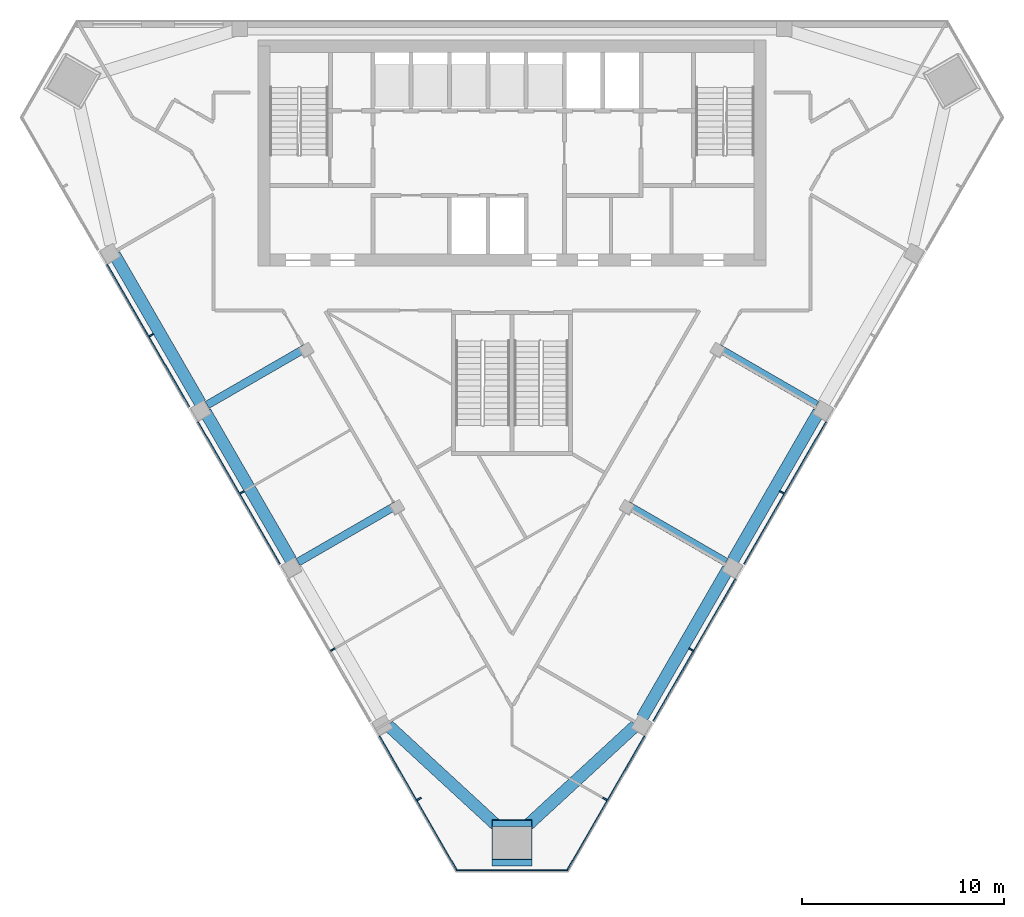
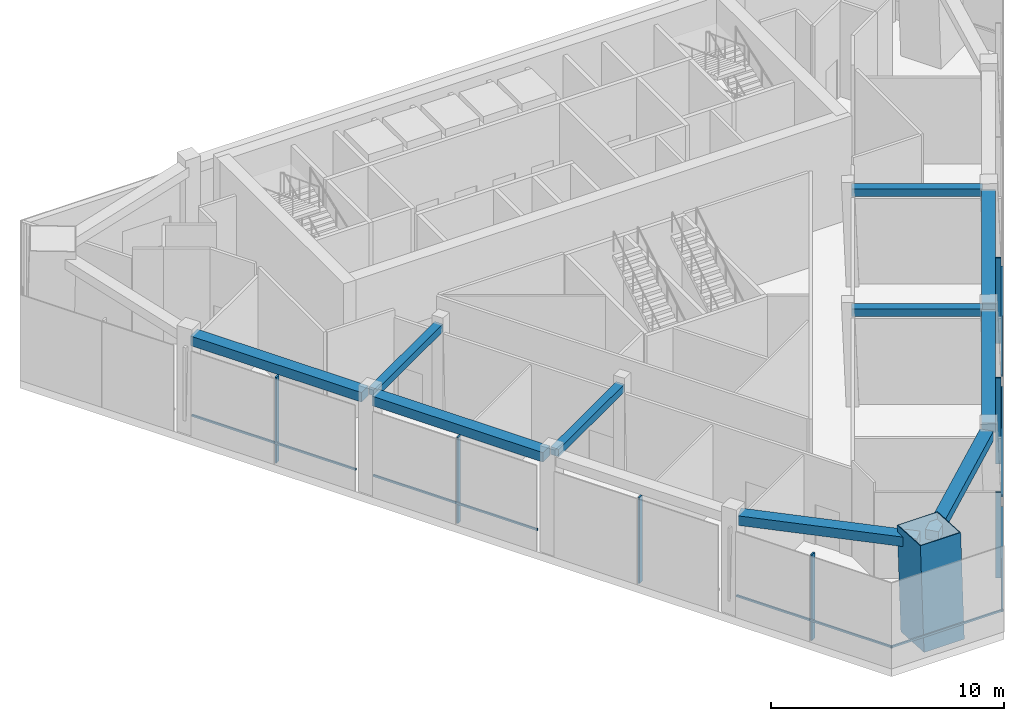
# One storey, part 2 of 10: 15 members, 10 beams, 3 elements without a shape of their own.
"""IFC4 building model written with IfcOpenShell, lengths in metres."""

import ifcopenshell
import ifcopenshell.guid

model = None  # the IFC model being written
_history = None  # IfcOwnerHistory: only IFC2X3 demands one
_inside = {}  # id of a spatial element -> (the spatial element, [elements in it])
_under = {}  # id of a project, library or spatial element -> (it, [spatial elements below it])
_declared = {}  # id of a project -> (the project, [libraries it declares])
_typed = {}  # id of a type object -> (the type object, [elements of that type])
_made_of = {}  # id of a material, layer set ... -> (it, [elements and type objects made of it])


def new_model(schema):
    """Start an empty IFC model of exactly this schema.

    Asked for "IFC4X3", IfcOpenShell would pick the latest addendum, in which some entities
    have other attributes; the version numbers below select the first issue.
    IFC2X3 requires an IfcOwnerHistory on every rooted entity: one is made here for all.
    """
    global model, _history
    if schema == "IFC4X3":
        model = ifcopenshell.file(schema_version=(4, 3, 0, 0))
    else:
        model = ifcopenshell.file(schema=schema)
    _inside.clear()
    _under.clear()
    _declared.clear()
    _typed.clear()
    _made_of.clear()
    _history = None
    if model.schema == "IFC2X3":
        org = make("IfcOrganization", Name="unknown")
        user = make(
            "IfcPersonAndOrganization",
            ThePerson=make("IfcPerson", FamilyName="unknown"),
            TheOrganization=org,
        )
        app = make(
            "IfcApplication",
            ApplicationDeveloper=org,
            Version="unknown",
            ApplicationFullName="unknown",
            ApplicationIdentifier="unknown",
        )
        _history = make(
            "IfcOwnerHistory",
            OwningUser=user,
            OwningApplication=app,
            ChangeAction="ADDED",
            CreationDate=0,
        )
    return model


def make(cls, **values):
    """One entity of the class cls with the attributes given. An attribute that is None is left unset."""
    return model.create_entity(
        cls, **{name: value for name, value in values.items() if value is not None}
    )


def rooted(cls, **values):
    """An entity with a GlobalId (a new one), such as an element, a storey or a relation."""
    return make(cls, GlobalId=ifcopenshell.guid.new(), OwnerHistory=_history, **values)


def si_unit(unit_type, name, prefix=None):
    """IfcSIUnit, for example si_unit("LENGTHUNIT", "METRE", prefix="MILLI")."""
    return make("IfcSIUnit", UnitType=unit_type, Prefix=prefix, Name=name)


def assignment(units):
    """IfcUnitAssignment: the units of a project."""
    return None if units is None else make("IfcUnitAssignment", Units=units)


def point(xyz):
    """IfcCartesianPoint."""
    return None if xyz is None else make("IfcCartesianPoint", Coordinates=xyz)


def direction(xyz):
    """IfcDirection."""
    return None if xyz is None else make("IfcDirection", DirectionRatios=xyz)


def frame(location, z_axis=None, x_axis=None):
    """IfcAxis2Placement3D, a coordinate frame: its origin and axes. An axis left out is left unset."""
    return make(
        "IfcAxis2Placement3D",
        Location=point(location),
        Axis=direction(z_axis),
        RefDirection=direction(x_axis),
    )


def frame_2d(location, x_axis=None):
    """IfcAxis2Placement2D, a coordinate frame in the plane: its origin and x axis."""
    return make(
        "IfcAxis2Placement2D", Location=point(location), RefDirection=direction(x_axis)
    )


def origin():
    """The frame at (0, 0, 0) with its axes left unset."""
    return frame((0.0, 0.0, 0.0))


def origin_2d():
    """The frame at (0, 0) in the plane with its x axis left unset."""
    return frame_2d((0.0, 0.0))


def place(relative_to, where):
    """IfcLocalPlacement: puts the frame where relative to a parent placement (None: the world)."""
    return make(
        "IfcLocalPlacement", PlacementRelTo=relative_to, RelativePlacement=where
    )


def context(
    kind, dimensions, precision=None, world=None, true_north=None, identifier=None
):
    """IfcGeometricRepresentationContext, for example the 3D "Model" context."""
    return make(
        "IfcGeometricRepresentationContext",
        ContextIdentifier=identifier,
        ContextType=kind,
        CoordinateSpaceDimension=dimensions,
        Precision=precision,
        WorldCoordinateSystem=world,
        TrueNorth=true_north,
    )


def subcontext(parent, identifier, kind, view, scale=None):
    """IfcGeometricRepresentationSubContext, for example "Body" below "Model"."""
    return make(
        "IfcGeometricRepresentationSubContext",
        ContextIdentifier=identifier,
        ContextType=kind,
        ParentContext=parent,
        TargetScale=scale,
        TargetView=view,
    )


def project(units=None, contexts=None):
    """IfcProject with its units and contexts."""
    return rooted(
        "IfcProject",
        Name="project",
        RepresentationContexts=contexts,
        UnitsInContext=assignment(units),
    )


def spatial(cls, under=None, at=None, **own):
    """A site, building, storey or space (cls), placed at a placement, below another one or the project."""
    s = rooted(cls, ObjectPlacement=at, **own)
    if under is not None:
        _under.setdefault(under.id(), (under, []))[1].append(s)
    return s


def profile(cls, at=None, kind="AREA", **sizes):
    """A parametric profile (cls). Its sizes go by their IFC names, for example OverallWidth=200.0."""
    return make(cls, ProfileType=kind, Position=at, **sizes)


def rectangle(**sizes):
    """IfcRectangleProfileDef."""
    return profile("IfcRectangleProfileDef", **sizes)


def hollow_rectangle(**sizes):
    """IfcRectangleHollowProfileDef."""
    return profile("IfcRectangleHollowProfileDef", **sizes)


def extrude(swept, where, along, depth):
    """IfcExtrudedAreaSolid: the profile swept, set in the frame where, extruded along a direction by depth."""
    return make(
        "IfcExtrudedAreaSolid",
        SweptArea=swept,
        Position=where,
        ExtrudedDirection=direction(along),
        Depth=depth,
    )


def shape(context_of_items, identifier, shape_type, items):
    """IfcShapeRepresentation: the items that make up one representation, for example the "Body"."""
    return make(
        "IfcShapeRepresentation",
        ContextOfItems=context_of_items,
        RepresentationIdentifier=identifier,
        RepresentationType=shape_type,
        Items=items,
    )


def material(Name=None, Category=None):
    """IfcMaterial."""
    return make("IfcMaterial", Name=Name, Category=Category)


def layer(
    of_material, thickness, ventilated=None, Name=None, Category=None, Priority=None
):
    """IfcMaterialLayer: one layer of a wall or slab, of a material (None: an air gap)."""
    return make(
        "IfcMaterialLayer",
        Material=of_material,
        LayerThickness=thickness,
        IsVentilated=ventilated,
        Name=Name,
        Category=Category,
        Priority=Priority,
    )


def layer_set(layers, Name=None):
    """IfcMaterialLayerSet."""
    return make("IfcMaterialLayerSet", MaterialLayers=layers, LayerSetName=Name)


def material_profile(
    of_material, cross_section, Name=None, Category=None, Priority=None
):
    """IfcMaterialProfile: a cross section and its material."""
    return make(
        "IfcMaterialProfile",
        Name=Name,
        Material=of_material,
        Profile=cross_section,
        Priority=Priority,
        Category=Category,
    )


def profile_set(profiles, Name=None, composite=None):
    """IfcMaterialProfileSet."""
    return make(
        "IfcMaterialProfileSet",
        Name=Name,
        MaterialProfiles=profiles,
        CompositeProfile=composite,
    )


def made_of(thing, what):
    """Note that an element or type object is made of a material, layer set ...; save() writes the relation."""
    if what is not None:
        _made_of.setdefault(what.id(), (what, []))[1].append(thing)
    return thing


def type_object(cls, material=None, **own):
    """A type object (cls), such as IfcWallType, which elements share."""
    return made_of(rooted(cls, **own), material)


def element(
    cls,
    number,
    at=None,
    inside=None,
    cuts=None,
    type_object=None,
    material=None,
    context=None,
    identifier="Body",
    shape_type=None,
    held_by="IfcProductDefinitionShape",
    body=None,
    shapes=None,
    **own,
):
    """One element of the class cls, such as IfcWall. Its Tag is "e" and its number.

    at: its placement. inside: the storey or other place that contains it. cuts: it is an
    opening in that element (IfcRelVoidsElement). A single representation is given by context,
    identifier, shape_type and body (its items); several are given by shapes. held_by: the class
    of the entity that holds the representations. save() writes the other relations.
    """
    e = rooted(cls, Tag="e%d" % number, ObjectPlacement=at, **own)
    if body is not None:
        shapes = [shape(context, identifier, shape_type, body)]
    if shapes is not None:
        e.Representation = make(held_by, Representations=shapes)
    if inside is not None:
        _inside.setdefault(inside.id(), (inside, []))[1].append(e)
    if cuts is not None:
        rooted(
            "IfcRelVoidsElement", RelatingBuildingElement=cuts, RelatedOpeningElement=e
        )
    if type_object is not None:
        _typed.setdefault(type_object.id(), (type_object, []))[1].append(e)
    return made_of(e, material)


def aggregate(whole, parts):
    """IfcRelAggregates: a whole, such as a stair, and the parts it consists of."""
    return rooted("IfcRelAggregates", RelatingObject=whole, RelatedObjects=parts)


def save(model, path):
    """Write the relations noted so far, then the file.

    IfcRelAggregates (storeys below a building ...), IfcRelContainedInSpatialStructure (elements
    in a storey), IfcRelDefinesByType, IfcRelAssociatesMaterial and IfcRelDeclares: one each for
    every whole, place, type object, material and project.
    """
    for whole, parts in _under.values():
        aggregate(whole, parts)
    for where, things in _inside.values():
        rooted(
            "IfcRelContainedInSpatialStructure",
            RelatedElements=things,
            RelatingStructure=where,
        )
    for kind, things in _typed.values():
        rooted("IfcRelDefinesByType", RelatedObjects=things, RelatingType=kind)
    for what, things in _made_of.values():
        rooted("IfcRelAssociatesMaterial", RelatedObjects=things, RelatingMaterial=what)
    for by, libraries in _declared.values():
        rooted("IfcRelDeclares", RelatingContext=by, RelatedDefinitions=libraries)
    model.write(path)


model = new_model("IFC4")

# Units and contexts
model_context = context("Model", 3, precision=1e-05, world=origin(), true_north=direction((0.0, 1.0)))
body_context = subcontext(model_context, "Body", "Model", "MODEL_VIEW")
ifc_project = project(units=[si_unit("LENGTHUNIT", "METRE"), si_unit("AREAUNIT", "SQUARE_METRE"), si_unit("VOLUMEUNIT", "CUBIC_METRE"), si_unit("PLANEANGLEUNIT", "RADIAN"), si_unit("MASSUNIT", "GRAM", prefix="KILO")], contexts=[model_context])

# Site, building, storey
site_placement = place(None, origin())
site = spatial("IfcSite", under=ifc_project, at=site_placement, CompositionType="ELEMENT")
building_placement = place(site_placement, origin())
building = spatial("IfcBuilding", under=site, at=building_placement, Name="Altiplano Prism Tower", CompositionType="ELEMENT")
storey_placement = place(building_placement, frame((0.0, 0.0, 233.800048828125)))
storey = spatial("IfcBuildingStorey", under=building, at=storey_placement, Name="L60", CompositionType="ELEMENT", Elevation=233.800048828125)

# Curtain wall, members
ifc_material_1 = material(Name="Aluminium and glass", Category="aluminium")
ifc_layer = layer(ifc_material_1, 0.360107421875)
ifc_layer_set = layer_set([ifc_layer], Name="Aluminium and glass")
curtain_wall_type = type_object("IfcCurtainWallType", Name="CW3 sky-lobby unitised glazing", PredefinedType="NOTDEFINED", material=ifc_layer_set)
curtain_wall_1_placement = place(storey_placement, origin())
curtain_wall_1 = element("IfcCurtainWall", 1, at=curtain_wall_1_placement, inside=storey, type_object=curtain_wall_type, Name="CW3 curtain wall south-west face L60", PredefinedType="NOTDEFINED")
ifc_material_2 = material(Name="Aluminium", Category="aluminium")
ifc_material_profile_1 = material_profile(ifc_material_2, rectangle(XDim=0.239990234375, YDim=0.080078125, at=origin_2d()), Name="CW3 mullion 80 x 240")
ifc_profile_set_1 = profile_set([ifc_material_profile_1], Name="Aluminium")
member_type_1 = type_object("IfcMemberType", Name="CW3 mullion 80 x 240", PredefinedType="MULLION", material=ifc_profile_set_1)
member_1_placement = place(storey_placement, frame((67.1162109375, 89.373046875, 0.0), z_axis=(0.0, 0.0, 1.0), x_axis=(0.866025409483, 0.49999999013, 0.0)))
member_1 = element("IfcMember", 2, at=member_1_placement, type_object=member_type_1, Name="CW3 mullion", PredefinedType="MULLION", context=body_context, shape_type="SweptSolid", body=[
    extrude(rectangle(XDim=0.239990234375, YDim=0.080078125, at=origin_2d()), origin(), (0.0, 0.0, 1.0), 4.5),
])
member_2_placement = place(storey_placement, frame((71.6162109375, 81.57861328125, 0.0), z_axis=(0.0, 0.0, 1.0), x_axis=(0.866025409483, 0.49999999013, 0.0)))
member_2 = element("IfcMember", 3, at=member_2_placement, type_object=member_type_1, Name="CW3 mullion", PredefinedType="MULLION", context=body_context, shape_type="SweptSolid", body=[
    extrude(rectangle(XDim=0.239990234375, YDim=0.080078125, at=origin_2d()), origin(), (0.0, 0.0, 1.0), 4.5),
])
member_3_placement = place(storey_placement, frame((76.1162109375, 73.784423828125, 0.0), z_axis=(0.0, 0.0, 1.0), x_axis=(0.866025409483, 0.49999999013, 0.0)))
member_3 = element("IfcMember", 4, at=member_3_placement, type_object=member_type_1, Name="CW3 mullion", PredefinedType="MULLION", context=body_context, shape_type="SweptSolid", body=[
    extrude(rectangle(XDim=0.239990234375, YDim=0.080078125, at=origin_2d()), origin(), (0.0, 0.0, 1.0), 4.5),
])
member_4_placement = place(storey_placement, frame((80.392333984375, 66.3779296875, 0.0), z_axis=(0.0, 0.0, 1.0), x_axis=(0.866025409483, 0.49999999013, 0.0)))
member_4 = element("IfcMember", 5, at=member_4_placement, type_object=member_type_1, Name="CW3 mullion", PredefinedType="MULLION", context=body_context, shape_type="SweptSolid", body=[
    extrude(rectangle(XDim=0.239990234375, YDim=0.080078125, at=origin_2d()), origin(), (0.0, 0.0, 1.0), 4.5),
])

curtain_wall_2_placement = place(storey_placement, origin())
curtain_wall_2 = element("IfcCurtainWall", 6, at=curtain_wall_2_placement, inside=storey, type_object=curtain_wall_type, Name="CW3 curtain wall south-east face L60", PredefinedType="NOTDEFINED")
member_5_placement = place(storey_placement, frame((89.607666015625, 66.3779296875, 0.0), z_axis=(0.0, 0.0, 1.0), x_axis=(-0.866025409483, 0.49999999013, 0.0)))
member_5 = element("IfcMember", 7, at=member_5_placement, type_object=member_type_1, Name="CW3 mullion", PredefinedType="MULLION", context=body_context, shape_type="SweptSolid", body=[
    extrude(rectangle(XDim=0.239990234375, YDim=0.080078125, at=origin_2d()), origin(), (0.0, 0.0, 1.0), 4.5),
])
member_6_placement = place(storey_placement, frame((93.8837890625, 73.784423828125, 0.0), z_axis=(0.0, 0.0, 1.0), x_axis=(-0.866025409483, 0.49999999013, 0.0)))
member_6 = element("IfcMember", 8, at=member_6_placement, type_object=member_type_1, Name="CW3 mullion", PredefinedType="MULLION", context=body_context, shape_type="SweptSolid", body=[
    extrude(rectangle(XDim=0.239990234375, YDim=0.080078125, at=origin_2d()), origin(), (0.0, 0.0, 1.0), 4.5),
])
member_7_placement = place(storey_placement, frame((98.3837890625, 81.57861328125, 0.0), z_axis=(0.0, 0.0, 1.0), x_axis=(-0.866025409483, 0.49999999013, 0.0)))
member_7 = element("IfcMember", 9, at=member_7_placement, type_object=member_type_1, Name="CW3 mullion", PredefinedType="MULLION", context=body_context, shape_type="SweptSolid", body=[
    extrude(rectangle(XDim=0.239990234375, YDim=0.080078125, at=origin_2d()), origin(), (0.0, 0.0, 1.0), 4.5),
])

# Member
ifc_material_profile_2 = material_profile(ifc_material_2, rectangle(XDim=0.070068359375, YDim=0.10009765625, at=origin_2d()), Name="CW3 transom 100 x 70")
ifc_profile_set_2 = profile_set([ifc_material_profile_2], Name="Aluminium")
member_type_2 = type_object("IfcMemberType", Name="CW3 transom 100 x 70", PredefinedType="USERDEFINED", material=ifc_profile_set_2)
member_8_placement = place(storey_placement, frame((64.919921875, 92.8671875, 1.099853515625), z_axis=(0.500008399602, -0.866020554218, 0.0), x_axis=(0.866020554218, 0.500008399602, 0.0)))
member_8 = element("IfcMember", 10, at=member_8_placement, type_object=member_type_2, Name="CW3 transom", ObjectType="TRANSOM", PredefinedType="USERDEFINED", context=body_context, shape_type="SweptSolid", body=[
    extrude(rectangle(XDim=0.070068359375, YDim=0.10009765625, at=origin_2d()), origin(), (0.0, 0.0, 1.0), 8.129638671875),
])

member_9_placement = place(storey_placement, frame((69.419921875, 85.072998046875, 1.099853515625), z_axis=(0.500008399602, -0.866020554218, 0.0), x_axis=(0.866020554218, 0.500008399602, 0.0)))
member_9 = element("IfcMember", 11, at=member_9_placement, type_object=member_type_2, Name="CW3 transom", ObjectType="TRANSOM", PredefinedType="USERDEFINED", context=body_context, shape_type="SweptSolid", body=[
    extrude(rectangle(XDim=0.070068359375, YDim=0.10009765625, at=origin_2d()), origin(), (0.0, 0.0, 1.0), 8.129638671875),
])

member_10_placement = place(storey_placement, frame((78.419921875, 69.484619140625, 1.099853515625), z_axis=(0.499994969788, -0.866028307959, 0.0), x_axis=(0.866028307959, 0.499994969788, 0.0)))
member_10 = element("IfcMember", 12, at=member_10_placement, type_object=member_type_2, Name="CW3 transom", ObjectType="TRANSOM", PredefinedType="USERDEFINED", context=body_context, shape_type="SweptSolid", body=[
    extrude(rectangle(XDim=0.070068359375, YDim=0.10009765625, at=origin_2d()), origin(), (0.0, 0.0, 1.0), 7.72900390625),
])

aggregate(curtain_wall_1, [member_1, member_8, member_2, member_9, member_3, member_4, member_10])

# Curtain wall, member
curtain_wall_3_placement = place(storey_placement, origin())
curtain_wall_3 = element("IfcCurtainWall", 13, at=curtain_wall_3_placement, inside=storey, type_object=curtain_wall_type, Name="CW3 curtain wall south chamfer L60", PredefinedType="NOTDEFINED")
member_11_placement = place(storey_placement, frame((82.210693359375, 62.83349609375, 1.099853515625), z_axis=(1.0, 0.0, 0.0), x_axis=(0.0, 1.0, 0.0)))
member_11 = element("IfcMember", 14, at=member_11_placement, type_object=member_type_2, Name="CW3 transom", ObjectType="TRANSOM", PredefinedType="USERDEFINED", context=body_context, shape_type="SweptSolid", body=[
    extrude(rectangle(XDim=0.070068359375, YDim=0.10009765625, at=origin_2d()), origin(), (0.0, 0.0, 1.0), 5.57861328125),
])
aggregate(curtain_wall_3, [member_11])

# Member
member_12_placement = place(storey_placement, frame((87.715576171875, 62.791015625, 1.099853515625), z_axis=(0.499994969788, 0.866028307959, 0.0), x_axis=(-0.866028307959, 0.499994969788, 0.0)))
member_12 = element("IfcMember", 15, at=member_12_placement, type_object=member_type_2, Name="CW3 transom", ObjectType="TRANSOM", PredefinedType="USERDEFINED", context=body_context, shape_type="SweptSolid", body=[
    extrude(rectangle(XDim=0.070068359375, YDim=0.10009765625, at=origin_2d()), origin(), (0.0, 0.0, 1.0), 7.72900390625),
])

member_13_placement = place(storey_placement, frame((92.01513671875, 70.238037109375, 1.099853515625), z_axis=(0.499995396135, 0.866028061811, 0.0), x_axis=(-0.866028061811, 0.499995396135, 0.0)))
member_13 = element("IfcMember", 16, at=member_13_placement, type_object=member_type_2, Name="CW3 transom", ObjectType="TRANSOM", PredefinedType="USERDEFINED", context=body_context, shape_type="SweptSolid", body=[
    extrude(rectangle(XDim=0.070068359375, YDim=0.10009765625, at=origin_2d()), origin(), (0.0, 0.0, 1.0), 8.1298828125),
])

member_14_placement = place(storey_placement, frame((96.51513671875, 78.032470703125, 1.099853515625), z_axis=(0.500008399602, 0.866020554218, 0.0), x_axis=(-0.866020554218, 0.500008399602, 0.0)))
member_14 = element("IfcMember", 17, at=member_14_placement, type_object=member_type_2, Name="CW3 transom", ObjectType="TRANSOM", PredefinedType="USERDEFINED", context=body_context, shape_type="SweptSolid", body=[
    extrude(rectangle(XDim=0.070068359375, YDim=0.10009765625, at=origin_2d()), origin(), (0.0, 0.0, 1.0), 8.129638671875),
])

aggregate(curtain_wall_2, [member_5, member_12, member_6, member_13, member_7, member_14])

# Beams
ifc_material_3 = material(Name="Concrete C60/75", Category="concrete")
ifc_material_profile_3 = material_profile(ifc_material_3, rectangle(XDim=0.60009765625, YDim=0.5, at=origin_2d()), Name="Edge beam 600x500")
ifc_profile_set_3 = profile_set([ifc_material_profile_3], Name="Concrete C60/75")
beam_type_1 = type_object("IfcBeamType", Name="Edge beam 600x500", PredefinedType="SPANDREL", material=ifc_profile_set_3)
for number, where, z_axis, x_axis, name in (
    (18, (65.295654296875, 93.362060546875, 4.75), (0.49998963237, -0.866031389456, 0.0), (0.866031389456, 0.49998963237, 0.0), "Edge beam P11-P12 L61"),
    (19, (69.795654296875, 85.56787109375, 4.75), (0.49998963237, -0.866031389456, 0.0), (0.866031389456, 0.49998963237, 0.0), "Edge beam P12-P13 L61"),
):
    element("IfcBeam", number, at=place(storey_placement, frame(where, z_axis=z_axis, x_axis=x_axis)), inside=storey, type_object=beam_type_1, Name=name, PredefinedType="SPANDREL", context=body_context, shape_type="SweptSolid", body=[
        extrude(rectangle(XDim=0.60009765625, YDim=0.5, at=origin_2d()), origin(), (0.0, 0.0, 1.0), 8.489990234375),
    ])
for number, where, z_axis, x_axis, name in (
    (20, (78.86865234375, 70.015380859375, 4.75), (0.735318193205, -0.677722033537, 0.0), (0.677722033537, 0.735318193205, 0.0), "Edge beam P14-M1 L61"),
    (21, (85.330810546875, 64.669189453125, 4.75), (0.735318193205, 0.677722033537, 0.0), (-0.677722033537, 0.735318193205, 0.0), "Edge beam M1-P21 L61"),
):
    element("IfcBeam", number, at=place(storey_placement, frame(where, z_axis=z_axis, x_axis=x_axis)), inside=storey, type_object=beam_type_1, Name=name, PredefinedType="SPANDREL", context=body_context, shape_type="SweptSolid", body=[
        extrude(rectangle(XDim=0.60009765625, YDim=0.5, at=origin_2d()), origin(), (0.0, 0.0, 1.0), 7.888427734375),
    ])
beam_1_placement = place(storey_placement, frame((91.45947265625, 70.4208984375, 4.75), z_axis=(0.499977180862, 0.866038578019, 0.0), x_axis=(-0.866038578019, 0.499977180862, 0.0)))
element("IfcBeam", 22, at=beam_1_placement, inside=storey, type_object=beam_type_1, Name="Edge beam P21-P22 L61", PredefinedType="SPANDREL", context=body_context, shape_type="SweptSolid", body=[
    extrude(rectangle(XDim=0.60009765625, YDim=0.5, at=origin_2d()), origin(), (0.0, 0.0, 1.0), 8.490234375),
])
beam_2_placement = place(storey_placement, frame((95.95947265625, 78.21533203125, 4.75), z_axis=(0.49998963237, 0.866031389456, 0.0), x_axis=(-0.866031389456, 0.49998963237, 0.0)))
element("IfcBeam", 23, at=beam_2_placement, inside=storey, type_object=beam_type_1, Name="Edge beam P22-P23 L61", PredefinedType="SPANDREL", context=body_context, shape_type="SweptSolid", body=[
    extrude(rectangle(XDim=0.60009765625, YDim=0.5, at=origin_2d()), origin(), (0.0, 0.0, 1.0), 8.489990234375),
])

# Member
ifc_material_4 = material(Name="Steel S460", Category="steel")
ifc_material_profile_4 = material_profile(ifc_material_4, hollow_rectangle(XDim=2.0, YDim=2.0, WallThickness=0.0400390625, at=origin_2d()), Name="Mega column tube 2000")
ifc_profile_set_4 = profile_set([ifc_material_profile_4], Name="Steel S460")
member_type_3 = type_object("IfcMemberType", Name="Mega column tube 2000", PredefinedType="POST", material=ifc_profile_set_4)
member_15_placement = place(storey_placement, frame((85.0, 64.048583984375, 0.0), z_axis=(0.0, 0.058359537448, 0.998295629755), x_axis=(-1.0, 0.0, 0.0)))
element("IfcMember", 24, at=member_15_placement, inside=storey, type_object=member_type_3, Name="Mega column tube M1 L60", PredefinedType="POST", context=body_context, shape_type="SweptSolid", body=[
    extrude(hollow_rectangle(XDim=2.0, YDim=2.0, WallThickness=0.0400390625, at=origin_2d()), origin(), (0.0, 0.0, 1.0), 5.4091796875),
])

# Beams
ifc_material_profile_5 = material_profile(ifc_material_3, rectangle(XDim=0.39990234375, YDim=0.39990234375, at=origin_2d()), Name="Tie beam 400x400")
ifc_profile_set_5 = profile_set([ifc_material_profile_5], Name="Concrete C60/75")
beam_type_2 = type_object("IfcBeamType", Name="Tie beam 400x400", PredefinedType="BEAM", material=ifc_profile_set_5)
for number, where, z_axis, x_axis, name in (
    (25, (74.7734375, 88.736083984375, 4.800048828125), (-0.866045024864, -0.499966013754, 0.0), (0.499966013754, -0.866045024864, 0.0), "Tie beam I12 L61"),
    (26, (79.2734375, 80.94189453125, 4.800048828125), (-0.866026281646, -0.499998479497, 0.0), (0.499998479497, -0.866026281646, 0.0), "Tie beam I13 L61"),
    (27, (90.7265625, 80.94189453125, 4.800048828125), (0.866026281646, -0.499998479497, 0.0), (0.499998479497, 0.866026281646, 0.0), "Tie beam I22 L61"),
    (28, (95.2265625, 88.736083984375, 4.800048828125), (0.866045024864, -0.499966013754, 0.0), (0.499966013754, 0.866045024864, 0.0), "Tie beam I23 L61"),
):
    element("IfcBeam", number, at=place(storey_placement, frame(where, z_axis=z_axis, x_axis=x_axis)), inside=storey, type_object=beam_type_2, Name=name, PredefinedType="BEAM", context=body_context, shape_type="SweptSolid", body=[
        extrude(rectangle(XDim=0.39990234375, YDim=0.39990234375, at=origin_2d()), origin(), (0.0, 0.0, 1.0), 5.64013671875),
    ])

save(model, "model.ifc")
